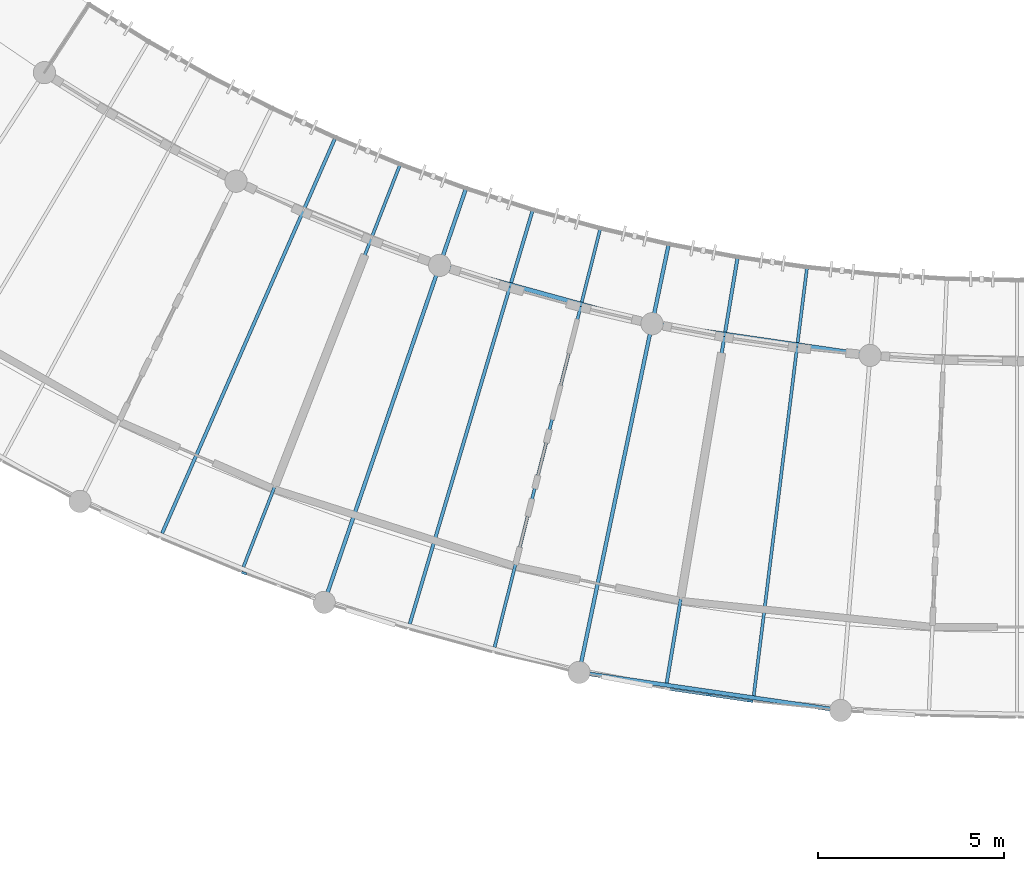
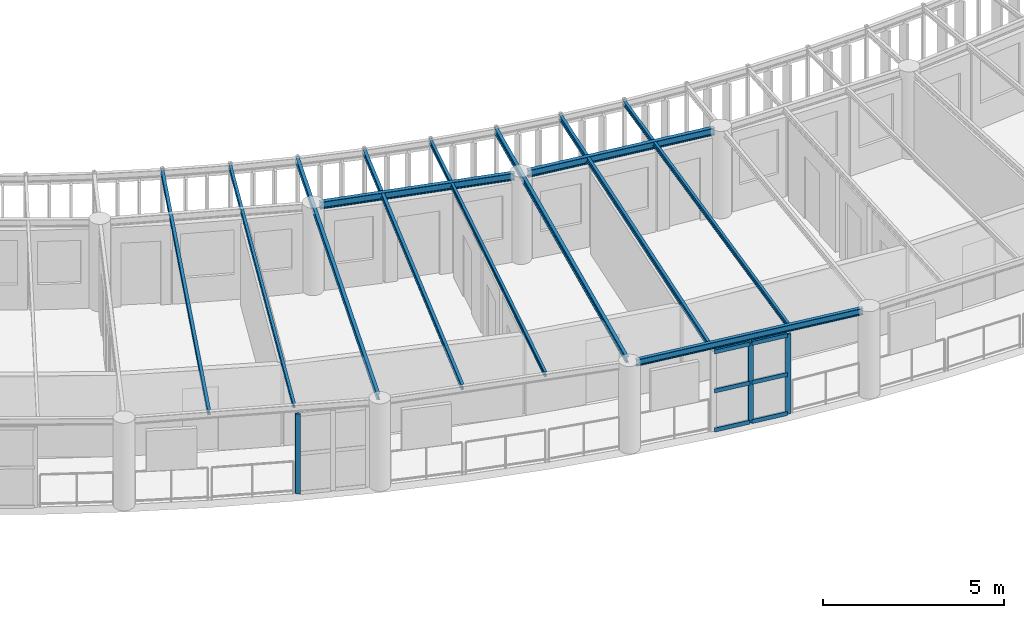
# One storey, part 5 of 100: 11 beams, 9 members, 2 elements without a shape of their own.
"""IFC4 building model written with IfcOpenShell, lengths in metres."""

from ifc_helpers import new_model, si_unit, direction, frame, origin, origin_2d, place, context, subcontext, project, spatial, rectangle, i_section, extrude, material, layer, layer_set, material_profile, profile_set, type_object, element, aggregate, save


model = new_model("IFC4")

# Units and contexts
model_context = context("Model", 3, precision=1e-05, world=origin(), true_north=direction((0.0, 1.0)))
body_context = subcontext(model_context, "Body", "Model", "MODEL_VIEW")
ifc_project = project(units=[si_unit("LENGTHUNIT", "METRE"), si_unit("AREAUNIT", "SQUARE_METRE"), si_unit("VOLUMEUNIT", "CUBIC_METRE"), si_unit("PLANEANGLEUNIT", "RADIAN"), si_unit("MASSUNIT", "GRAM", prefix="KILO"), si_unit("POWERUNIT", "WATT"), si_unit("THERMODYNAMICTEMPERATUREUNIT", "KELVIN")], contexts=[model_context])

# Site, building, storey
site_placement = place(None, origin())
site = spatial("IfcSite", under=ifc_project, at=site_placement, CompositionType="ELEMENT")
building_placement = place(site_placement, origin())
building = spatial("IfcBuilding", under=site, at=building_placement, Name="Ruvembo Vaulted Housing Court", CompositionType="ELEMENT")
storey_placement = place(building_placement, frame((0.0, 0.0, 14.10009765625)))
storey = spatial("IfcBuildingStorey", under=building, at=storey_placement, Name="L04", CompositionType="ELEMENT", Elevation=14.10009765625)

# Beams
ifc_material_1 = material(Name="Steel S355J2", Category="steel")
ifc_material_profile_1 = material_profile(ifc_material_1, i_section(OverallWidth=0.08203125, OverallDepth=0.159912109375, WebThickness=0.0048828125, FlangeThickness=0.00732421875, FilletRadius=0.009033203125, at=origin_2d()), Name="IPE 160")
ifc_profile_set_1 = profile_set([ifc_material_profile_1], Name="Steel S355J2")
beam_type_1 = type_object("IfcBeamType", Name="BM-ST-IPE160", PredefinedType="JOIST", material=ifc_profile_set_1)
beam_1_placement = place(storey_placement, frame((48.156005859375, 8.46240234375, 2.85986328125), z_axis=(0.362802942669, 0.931865883478, 0.0), x_axis=(-0.931865883478, 0.362802942669, 0.0)))
element("IfcBeam", 1, at=beam_1_placement, inside=storey, type_object=beam_type_1, Name="Scoop SC2 L04 Radial Steel Joist 5", PredefinedType="JOIST", context=body_context, shape_type="SweptSolid", body=[
    extrude(i_section(OverallWidth=0.08203125, OverallDepth=0.159912109375, WebThickness=0.0048828125, FlangeThickness=0.00732421875, FilletRadius=0.009033203125, at=origin_2d()), origin(), (0.0, 0.0, 1.0), 11.692138671875),
])
beam_2_placement = place(storey_placement, frame((54.92431640625, 6.299072265625, 2.85986328125), z_axis=(0.24500130138, 0.96952274977, 0.0), x_axis=(-0.96952274977, 0.24500130138, 0.0)))
element("IfcBeam", 2, at=beam_2_placement, inside=storey, type_object=beam_type_1, Name="Scoop SC2 L04 Radial Steel Joist 8", PredefinedType="JOIST", context=body_context, shape_type="SweptSolid", body=[
    extrude(i_section(OverallWidth=0.08203125, OverallDepth=0.159912109375, WebThickness=0.0048828125, FlangeThickness=0.00732421875, FilletRadius=0.009033203125, at=origin_2d()), origin(), (0.0, 0.0, 1.0), 11.69189453125),
])
beam_3_placement = place(storey_placement, frame((61.907958984375, 4.9873046875, 2.85986328125), z_axis=(0.123446200649, 0.992351266208, 0.0), x_axis=(-0.992351266208, 0.123446200649, 0.0)))
element("IfcBeam", 3, at=beam_3_placement, inside=storey, type_object=beam_type_1, Name="Scoop SC2 L04 Radial Steel Joist 11", PredefinedType="JOIST", context=body_context, shape_type="SweptSolid", body=[
    extrude(i_section(OverallWidth=0.08203125, OverallDepth=0.159912109375, WebThickness=0.0048828125, FlangeThickness=0.00732421875, FilletRadius=0.009033203125, at=origin_2d()), origin(), (0.0, 0.0, 1.0), 11.692138671875),
])
ifc_material_profile_2 = material_profile(ifc_material_1, i_section(OverallWidth=0.091064453125, OverallDepth=0.179931640625, WebThickness=0.00537109375, FlangeThickness=0.008056640625, FilletRadius=0.009033203125, at=origin_2d()), Name="IPE 180")
ifc_profile_set_2 = profile_set([ifc_material_profile_2], Name="Steel S355J2")
beam_type_2 = type_object("IfcBeamType", Name="BM-ST-IPE180", PredefinedType="JOIST", material=ifc_profile_set_2)
beam_4_placement = place(storey_placement, frame((45.9658203125, 9.367919921875, 2.849853515625), z_axis=(0.400923991771, 0.916111321196, 0.0), x_axis=(-0.916111321196, 0.400923991771, 0.0)))
element("IfcBeam", 4, at=beam_4_placement, inside=storey, type_object=beam_type_2, Name="Scoop SC2 L04 Radial Steel Joist 4", PredefinedType="JOIST", context=body_context, shape_type="SweptSolid", body=[
    extrude(i_section(OverallWidth=0.091064453125, OverallDepth=0.179931640625, WebThickness=0.00537109375, FlangeThickness=0.008056640625, FilletRadius=0.009033203125, at=origin_2d()), origin(), (0.0, 0.0, 1.0), 11.691650390625),
])
for number, where, z_axis, x_axis, name in (
    (5, (52.638916015625, 6.9267578125, 2.849853515625), (0.28479137609, 0.958589522217, 0.0), (-0.958589522217, 0.28479137609, 0.0), "Scoop SC2 L04 Radial Steel Joist 7"),
    (6, (59.5625, 5.328369140625, 2.849853515625), (0.164290631564, 0.986411977006, 0.0), (-0.986411977006, 0.164290631564, 0.0), "Scoop SC2 L04 Radial Steel Joist 10"),
):
    element("IfcBeam", number, at=place(storey_placement, frame(where, z_axis=z_axis, x_axis=x_axis)), inside=storey, type_object=beam_type_2, Name=name, PredefinedType="JOIST", context=body_context, shape_type="SweptSolid", body=[
        extrude(i_section(OverallWidth=0.091064453125, OverallDepth=0.179931640625, WebThickness=0.00537109375, FlangeThickness=0.008056640625, FilletRadius=0.009033203125, at=origin_2d()), origin(), (0.0, 0.0, 1.0), 11.692138671875),
    ])
ifc_material_profile_3 = material_profile(ifc_material_1, i_section(OverallWidth=0.10009765625, OverallDepth=0.199951171875, WebThickness=0.005615234375, FlangeThickness=0.008544921875, FilletRadius=0.011962890625, at=origin_2d()), Name="IPE 200")
ifc_profile_set_3 = profile_set([ifc_material_profile_3], Name="Steel S355J2")
beam_type_3 = type_object("IfcBeamType", Name="BM-ST-IPE200", PredefinedType="BEAM", material=ifc_profile_set_3)
for number, where, z_axis, x_axis, name in (
    (7, (50.395263671875, 7.68798828125, 2.83984375), (0.324062860015, 0.946035550473, 0.0), (-0.946035550473, 0.324062860015, 0.0), "Scoop SC2 L04 Radial Steel Joist 6"),
    (8, (57.241943359375, 5.806884765625, 2.83984375), (0.204825335191, 0.978798540081, 0.0), (-0.978798540081, 0.204825335191, 0.0), "Scoop SC2 L04 Radial Steel Joist 9"),
):
    element("IfcBeam", number, at=place(storey_placement, frame(where, z_axis=z_axis, x_axis=x_axis)), inside=storey, type_object=beam_type_3, Name=name, PredefinedType="BEAM", context=body_context, shape_type="SweptSolid", body=[
        extrude(i_section(OverallWidth=0.10009765625, OverallDepth=0.199951171875, WebThickness=0.005615234375, FlangeThickness=0.008544921875, FilletRadius=0.011962890625, at=origin_2d()), origin(), (0.0, 0.0, 1.0), 11.650146484375),
    ])
ifc_material_profile_4 = material_profile(ifc_material_1, i_section(OverallWidth=0.110107421875, OverallDepth=0.219970703125, WebThickness=0.005859375, FlangeThickness=0.00927734375, FilletRadius=0.011962890625, at=origin_2d()), Name="IPE 220")
ifc_profile_set_4 = profile_set([ifc_material_profile_4], Name="Steel S355J2")
beam_type_4 = type_object("IfcBeamType", Name="BM-ST-IPE220", PredefinedType="SPANDREL", material=ifc_profile_set_4)
beam_5_placement = place(storey_placement, frame((57.39111328125, 5.59375, 2.831787109375), z_axis=(0.989592345003, -0.143899238052, 0.0), x_axis=(0.143899238052, 0.989592345003, 0.0)))
element("IfcBeam", 9, at=beam_5_placement, inside=storey, type_object=beam_type_4, Name="Scoop SC2 L04 Chord Girder B9", PredefinedType="SPANDREL", context=body_context, shape_type="SweptSolid", body=[
    extrude(i_section(OverallWidth=0.110107421875, OverallDepth=0.219970703125, WebThickness=0.005859375, FlangeThickness=0.00927734375, FilletRadius=0.011962890625, at=origin_2d()), origin(), (0.0, 0.0, 1.0), 6.743896484375),
])
ifc_material_profile_5 = material_profile(ifc_material_1, i_section(OverallWidth=0.1201171875, OverallDepth=0.239990234375, WebThickness=0.006103515625, FlangeThickness=0.009765625, FilletRadius=0.014892578125, at=origin_2d()), Name="IPE 240")
ifc_profile_set_5 = profile_set([ifc_material_profile_5], Name="Steel S355J2")
beam_type_5 = type_object("IfcBeamType", Name="BM-ST-IPE240", PredefinedType="BEAM", material=ifc_profile_set_5)
for number, where, z_axis, x_axis, name in (
    (10, (53.6279296875, 16.5400390625, 2.822021484375), (0.964266306067, -0.264934880648, 0.0), (0.264934880648, 0.964266306067, 0.0), "Scoop SC2 L04 Chord Girder F6"),
    (11, (59.357421875, 14.990234375, 2.822021484375), (0.989593151794, -0.143893689656, 0.0), (0.143893689656, 0.989593151794, 0.0), "Scoop SC2 L04 Chord Girder F9"),
):
    element("IfcBeam", number, at=place(storey_placement, frame(where, z_axis=z_axis, x_axis=x_axis)), inside=storey, type_object=beam_type_5, Name=name, PredefinedType="BEAM", context=body_context, shape_type="SweptSolid", body=[
        extrude(i_section(OverallWidth=0.1201171875, OverallDepth=0.239990234375, WebThickness=0.006103515625, FlangeThickness=0.009765625, FilletRadius=0.014892578125, at=origin_2d()), origin(), (0.0, 0.0, 1.0), 5.556640625),
    ])

# Curtain wall, member
ifc_material_2 = material(Name="Anodised Aluminium and Solar-Control Glass", Category="aluminium")
ifc_layer_1 = layer(ifc_material_2, 0.1201171875, Name="Anodised Aluminium and Solar-Control Glass")
ifc_layer_set_1 = layer_set([ifc_layer_1], Name="Anodised Aluminium and Solar-Control Glass")
curtain_wall_type_1 = type_object("IfcCurtainWallType", Name="CW-SCOOP-GAL", PredefinedType="NOTDEFINED", material=ifc_layer_set_1)
curtain_wall_1_placement = place(storey_placement, origin())
curtain_wall_1 = element("IfcCurtainWall", 12, at=curtain_wall_1_placement, inside=storey, type_object=curtain_wall_type_1, Name="L04 Curtain Wall CW-L04-0048", PredefinedType="NOTDEFINED")
ifc_material_3 = material(Name="Anodised Aluminium 6063-T6", Category="aluminium")
ifc_material_profile_6 = material_profile(ifc_material_3, rectangle(XDim=0.06005859375, YDim=0.139892578125, at=origin_2d()), Name="ALU 60x140")
ifc_profile_set_6 = profile_set([ifc_material_profile_6], Name="Anodised Aluminium 6063-T6")
member_type_1 = type_object("IfcMemberType", Name="CW-MUL-60x140", PredefinedType="MULLION", material=ifc_profile_set_6)
member_1_placement = place(storey_placement, frame((48.177490234375, 8.297119140625, 0.0), z_axis=(0.0, 0.0, 1.0), x_axis=(0.343490217835, 0.939156254439, 0.0)))
member_1 = element("IfcMember", 13, at=member_1_placement, type_object=member_type_1, Name="CW6 mullion 1", PredefinedType="MULLION", context=body_context, shape_type="SweptSolid", body=[
    extrude(rectangle(XDim=0.06005859375, YDim=0.139892578125, at=origin_2d()), origin(), (0.0, 0.0, 1.0), 2.697998046875),
])
aggregate(curtain_wall_1, [member_1])

# Curtain wall, members
ifc_layer_2 = layer(ifc_material_2, 0.139892578125, Name="Anodised Aluminium and Solar-Control Glass")
ifc_layer_set_2 = layer_set([ifc_layer_2], Name="Anodised Aluminium and Solar-Control Glass")
curtain_wall_type_2 = type_object("IfcCurtainWallType", Name="CW-SCOOP-PAN", PredefinedType="NOTDEFINED", material=ifc_layer_set_2)
curtain_wall_2_placement = place(storey_placement, origin())
curtain_wall_2 = element("IfcCurtainWall", 14, at=curtain_wall_2_placement, inside=storey, type_object=curtain_wall_type_2, Name="L04 Curtain Wall CW-L04-0049", PredefinedType="NOTDEFINED")
ifc_material_profile_7 = material_profile(ifc_material_3, rectangle(XDim=0.06005859375, YDim=0.159912109375, at=origin_2d()), Name="ALU 60x160")
ifc_profile_set_7 = profile_set([ifc_material_profile_7], Name="Anodised Aluminium 6063-T6")
member_type_2 = type_object("IfcMemberType", Name="CW-MULLION-65x150", PredefinedType="MULLION", material=ifc_profile_set_7)
member_2_placement = place(storey_placement, frame((60.7138671875, 5.011474609375, 0.0), z_axis=(0.0, 0.0, 1.0), x_axis=(0.143850661969, 0.989599407362, 0.0)))
member_2 = element("IfcMember", 15, at=member_2_placement, type_object=member_type_2, Name="CW10 mullion 2", PredefinedType="MULLION", context=body_context, shape_type="SweptSolid", body=[
    extrude(rectangle(XDim=0.06005859375, YDim=0.159912109375, at=origin_2d()), origin(), (0.0, 0.0, 1.0), 2.697998046875),
])
member_3_placement = place(storey_placement, frame((61.810302734375, 4.85205078125, 0.0), z_axis=(0.0, 0.0, 1.0), x_axis=(0.143850661969, 0.989599407362, 0.0)))
member_3 = element("IfcMember", 16, at=member_3_placement, type_object=member_type_2, Name="CW10 mullion 3", PredefinedType="MULLION", context=body_context, shape_type="SweptSolid", body=[
    extrude(rectangle(XDim=0.06005859375, YDim=0.159912109375, at=origin_2d()), origin(), (0.0, 0.0, 1.0), 2.697998046875),
])
ifc_material_profile_8 = material_profile(ifc_material_3, rectangle(XDim=0.06494140625, YDim=0.135009765625, at=origin_2d()), Name="ALU 65x135")
ifc_profile_set_8 = profile_set([ifc_material_profile_8], Name="Anodised Aluminium 6063-T6")
member_type_3 = type_object("IfcMemberType", Name="CW-TRN-65x135", PredefinedType="USERDEFINED", material=ifc_profile_set_8)
member_4_placement = place(storey_placement, frame((59.647216796875, 5.16650390625, 0.032470703125), z_axis=(0.989615981538, -0.143736596189, 0.0), x_axis=(0.143736596189, 0.989615981538, 0.0)))
member_4 = element("IfcMember", 17, at=member_4_placement, type_object=member_type_3, Name="CW10 transom 1.1", ObjectType="TRANSOM", PredefinedType="USERDEFINED", context=body_context, shape_type="SweptSolid", body=[
    extrude(rectangle(XDim=0.06494140625, YDim=0.135009765625, at=origin_2d()), origin(), (0.0, 0.0, 1.0), 1.048095703125),
])
member_5_placement = place(storey_placement, frame((59.647216796875, 5.16650390625, 1.348876953125), z_axis=(0.989615981538, -0.143736596189, 0.0), x_axis=(0.143736596189, 0.989615981538, 0.0)))
member_5 = element("IfcMember", 18, at=member_5_placement, type_object=member_type_3, Name="CW10 transom 1.2", ObjectType="TRANSOM", PredefinedType="USERDEFINED", context=body_context, shape_type="SweptSolid", body=[
    extrude(rectangle(XDim=0.06494140625, YDim=0.135009765625, at=origin_2d()), origin(), (0.0, 0.0, 1.0), 1.048095703125),
])
member_6_placement = place(storey_placement, frame((59.647216796875, 5.16650390625, 2.665283203125), z_axis=(0.989615981538, -0.143736596189, 0.0), x_axis=(0.143736596189, 0.989615981538, 0.0)))
member_6 = element("IfcMember", 19, at=member_6_placement, type_object=member_type_3, Name="CW10 transom 1.3", ObjectType="TRANSOM", PredefinedType="USERDEFINED", context=body_context, shape_type="SweptSolid", body=[
    extrude(rectangle(XDim=0.06494140625, YDim=0.135009765625, at=origin_2d()), origin(), (0.0, 0.0, 1.0), 1.048095703125),
])
member_7_placement = place(storey_placement, frame((60.74365234375, 5.007080078125, 0.032470703125), z_axis=(0.989615981538, -0.143736596189, 0.0), x_axis=(0.143736596189, 0.989615981538, 0.0)))
member_7 = element("IfcMember", 20, at=member_7_placement, type_object=member_type_3, Name="CW10 transom 2.1", ObjectType="TRANSOM", PredefinedType="USERDEFINED", context=body_context, shape_type="SweptSolid", body=[
    extrude(rectangle(XDim=0.06494140625, YDim=0.135009765625, at=origin_2d()), origin(), (0.0, 0.0, 1.0), 1.048095703125),
])
member_8_placement = place(storey_placement, frame((60.74365234375, 5.007080078125, 1.348876953125), z_axis=(0.989615981538, -0.143736596189, 0.0), x_axis=(0.143736596189, 0.989615981538, 0.0)))
member_8 = element("IfcMember", 21, at=member_8_placement, type_object=member_type_3, Name="CW10 transom 2.2", ObjectType="TRANSOM", PredefinedType="USERDEFINED", context=body_context, shape_type="SweptSolid", body=[
    extrude(rectangle(XDim=0.06494140625, YDim=0.135009765625, at=origin_2d()), origin(), (0.0, 0.0, 1.0), 1.048095703125),
])
member_9_placement = place(storey_placement, frame((60.74365234375, 5.007080078125, 2.665283203125), z_axis=(0.989615981538, -0.143736596189, 0.0), x_axis=(0.143736596189, 0.989615981538, 0.0)))
member_9 = element("IfcMember", 22, at=member_9_placement, type_object=member_type_3, Name="CW10 transom 2.3", ObjectType="TRANSOM", PredefinedType="USERDEFINED", context=body_context, shape_type="SweptSolid", body=[
    extrude(rectangle(XDim=0.06494140625, YDim=0.135009765625, at=origin_2d()), origin(), (0.0, 0.0, 1.0), 1.048095703125),
])
aggregate(curtain_wall_2, [member_2, member_3, member_4, member_5, member_6, member_7, member_8, member_9])

save(model, "model.ifc")
